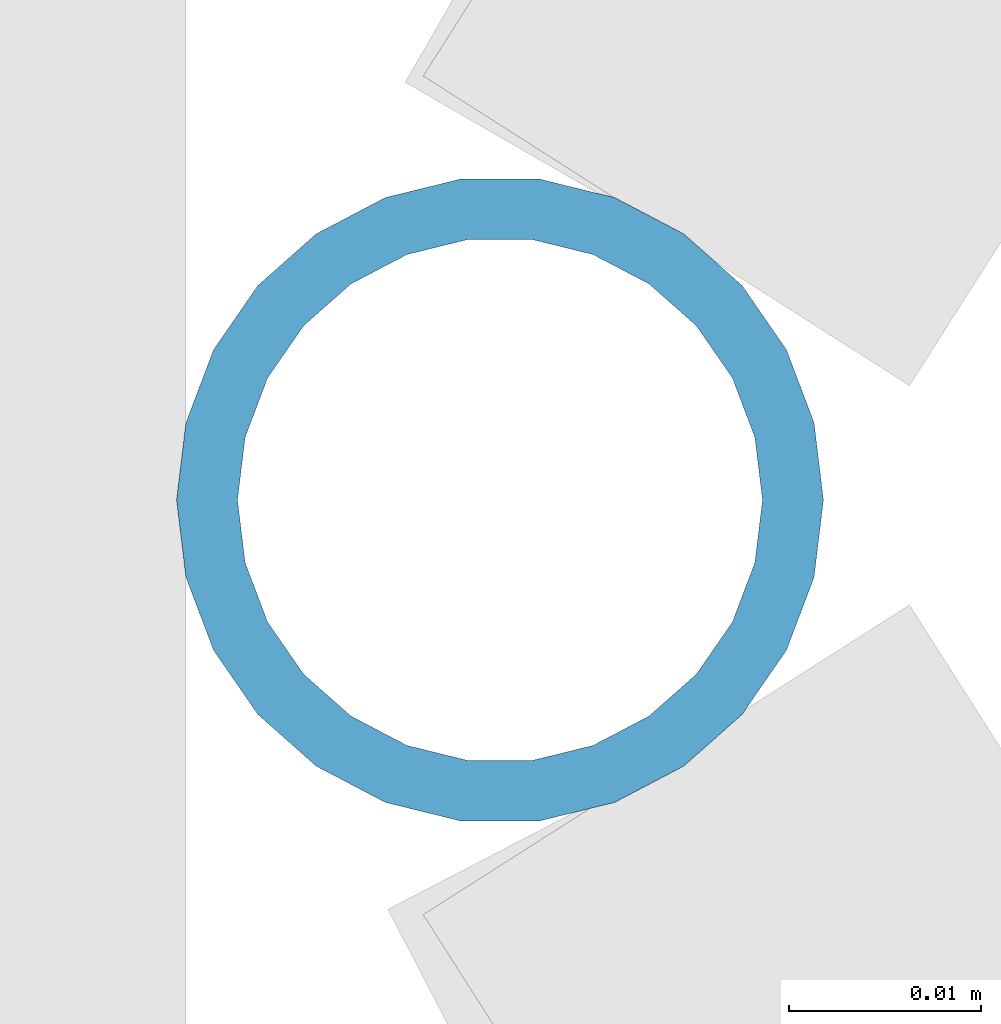
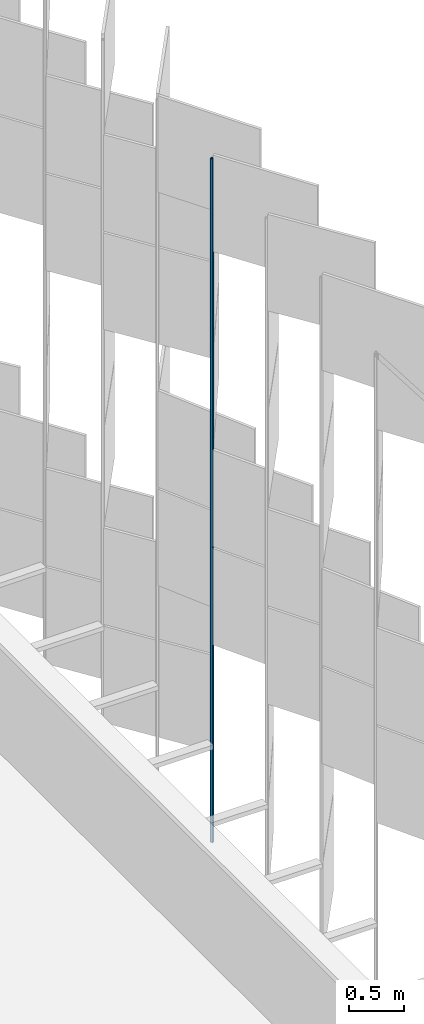
# One storey, part 283 of 483: 1 discrete accessory.
"""IFC4 building model written with IfcOpenShell, lengths in metres."""

from ifc_helpers import new_model, si_unit, direction, frame, origin, origin_2d, place, context, subcontext, project, spatial, hollow_circle, extrude, material, material_profile, profile_set, type_object, element, save


model = new_model("IFC4")

# Units and contexts
model_context = context("Model", 3, precision=1e-05, world=origin(), true_north=direction((0.0, 1.0)))
body_context = subcontext(model_context, "Body", "Model", "MODEL_VIEW")
ifc_project = project(units=[si_unit("LENGTHUNIT", "METRE"), si_unit("AREAUNIT", "SQUARE_METRE"), si_unit("VOLUMEUNIT", "CUBIC_METRE"), si_unit("PLANEANGLEUNIT", "RADIAN"), si_unit("MASSUNIT", "GRAM", prefix="KILO")], contexts=[model_context])

# Site, building, storey
site_placement = place(None, origin())
site = spatial("IfcSite", under=ifc_project, at=site_placement, CompositionType="ELEMENT")
building_placement = place(site_placement, origin())
building = spatial("IfcBuilding", under=site, at=building_placement, Name="Parallax Yard Mobility Hub", CompositionType="ELEMENT")
storey_placement = place(building_placement, frame((0.0, 0.0, 13.199951171875)))
storey = spatial("IfcBuildingStorey", under=building, at=storey_placement, Name="L04", CompositionType="ELEMENT", Elevation=13.199951171875)

# Discrete accessory
ifc_material = material(Name="Steel ASTM A500 Gr C, hot-dip galvanised", Category="steel")
ifc_material_profile = material_profile(ifc_material, hollow_circle(Radius=0.016845703125, WallThickness=0.003173828125, at=origin_2d()), Name="CHS 33.7x3.2")
ifc_profile_set = profile_set([ifc_material_profile], Name="Steel ASTM A500 Gr C, hot-dip galvanised")
discrete_accessory_type = type_object("IfcDiscreteAccessoryType", Name="Hinge post CHS 33.7x3.2", PredefinedType="BRACKET", material=ifc_profile_set)
discrete_accessory_placement = place(storey_placement, frame((225.731689453125, 86.787109375, 0.0), z_axis=(0.0, 0.0, 1.0), x_axis=(1.0, 0.0, 0.0)))
element("IfcDiscreteAccessory", 1, at=discrete_accessory_placement, inside=storey, type_object=discrete_accessory_type, Name="Hinge post bay 40.5 level L04", PredefinedType="BRACKET", context=body_context, shape_type="SweptSolid", body=[
    extrude(hollow_circle(Radius=0.016845703125, WallThickness=0.003173828125, at=origin_2d()), origin(), (0.0, 0.0, 1.0), 7.650146484375),
])

save(model, "model.ifc")
